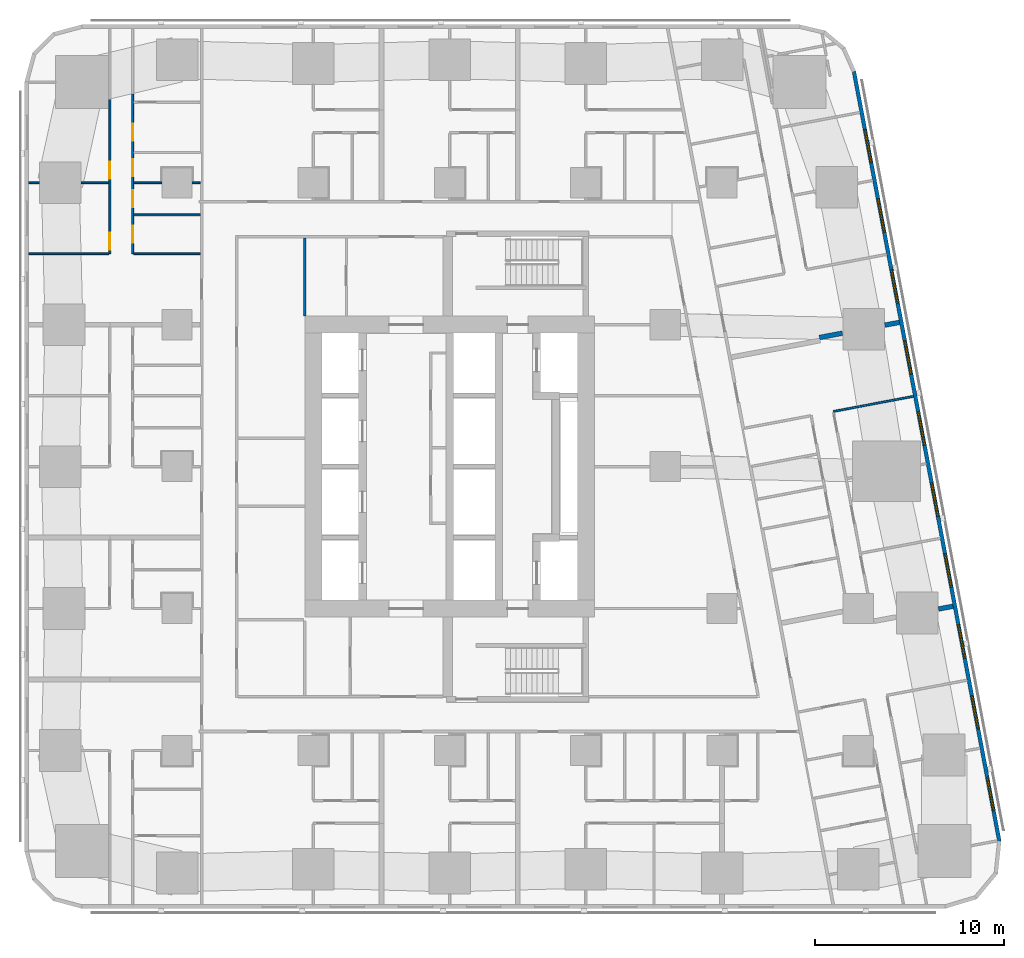
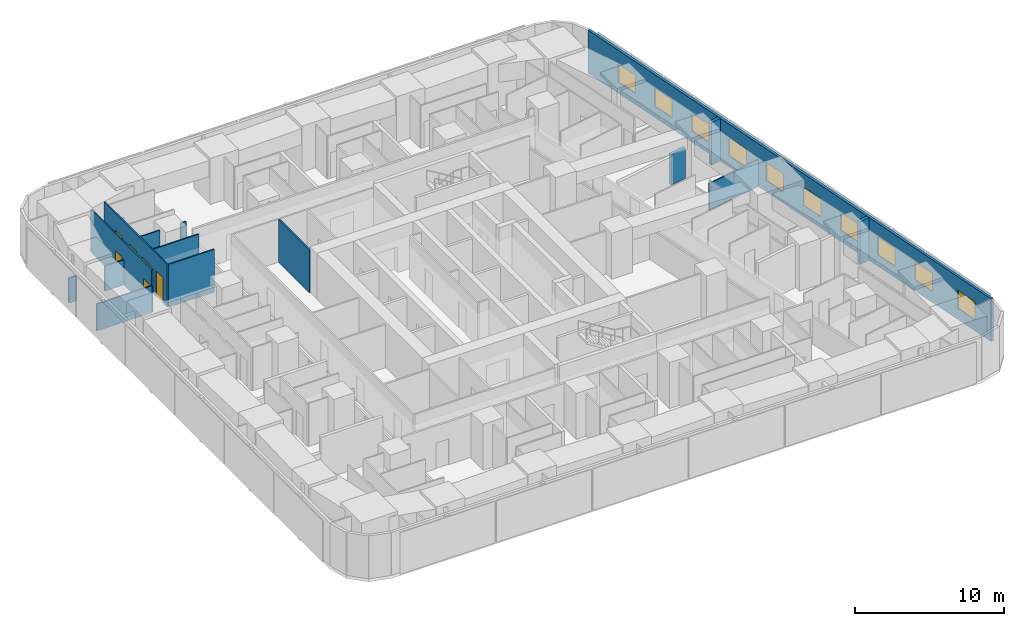
# One storey, part 9 of 16: 15 walls, 10 windows, 6 doors, 16 openings.
"""IFC4 building model written with IfcOpenShell, lengths in metres."""

import ifcopenshell
import ifcopenshell.guid

model = None  # the IFC model being written
_history = None  # IfcOwnerHistory: only IFC2X3 demands one
_inside = {}  # id of a spatial element -> (the spatial element, [elements in it])
_under = {}  # id of a project, library or spatial element -> (it, [spatial elements below it])
_declared = {}  # id of a project -> (the project, [libraries it declares])
_typed = {}  # id of a type object -> (the type object, [elements of that type])
_made_of = {}  # id of a material, layer set ... -> (it, [elements and type objects made of it])


def new_model(schema):
    """Start an empty IFC model of exactly this schema.

    Asked for "IFC4X3", IfcOpenShell would pick the latest addendum, in which some entities
    have other attributes; the version numbers below select the first issue.
    IFC2X3 requires an IfcOwnerHistory on every rooted entity: one is made here for all.
    """
    global model, _history
    if schema == "IFC4X3":
        model = ifcopenshell.file(schema_version=(4, 3, 0, 0))
    else:
        model = ifcopenshell.file(schema=schema)
    _inside.clear()
    _under.clear()
    _declared.clear()
    _typed.clear()
    _made_of.clear()
    _history = None
    if model.schema == "IFC2X3":
        org = make("IfcOrganization", Name="unknown")
        user = make(
            "IfcPersonAndOrganization",
            ThePerson=make("IfcPerson", FamilyName="unknown"),
            TheOrganization=org,
        )
        app = make(
            "IfcApplication",
            ApplicationDeveloper=org,
            Version="unknown",
            ApplicationFullName="unknown",
            ApplicationIdentifier="unknown",
        )
        _history = make(
            "IfcOwnerHistory",
            OwningUser=user,
            OwningApplication=app,
            ChangeAction="ADDED",
            CreationDate=0,
        )
    return model


def make(cls, **values):
    """One entity of the class cls with the attributes given. An attribute that is None is left unset."""
    return model.create_entity(
        cls, **{name: value for name, value in values.items() if value is not None}
    )


def rooted(cls, **values):
    """An entity with a GlobalId (a new one), such as an element, a storey or a relation."""
    return make(cls, GlobalId=ifcopenshell.guid.new(), OwnerHistory=_history, **values)


def si_unit(unit_type, name, prefix=None):
    """IfcSIUnit, for example si_unit("LENGTHUNIT", "METRE", prefix="MILLI")."""
    return make("IfcSIUnit", UnitType=unit_type, Prefix=prefix, Name=name)


def assignment(units):
    """IfcUnitAssignment: the units of a project."""
    return None if units is None else make("IfcUnitAssignment", Units=units)


def point(xyz):
    """IfcCartesianPoint."""
    return None if xyz is None else make("IfcCartesianPoint", Coordinates=xyz)


def direction(xyz):
    """IfcDirection."""
    return None if xyz is None else make("IfcDirection", DirectionRatios=xyz)


def frame(location, z_axis=None, x_axis=None):
    """IfcAxis2Placement3D, a coordinate frame: its origin and axes. An axis left out is left unset."""
    return make(
        "IfcAxis2Placement3D",
        Location=point(location),
        Axis=direction(z_axis),
        RefDirection=direction(x_axis),
    )


def frame_2d(location, x_axis=None):
    """IfcAxis2Placement2D, a coordinate frame in the plane: its origin and x axis."""
    return make(
        "IfcAxis2Placement2D", Location=point(location), RefDirection=direction(x_axis)
    )


def origin():
    """The frame at (0, 0, 0) with its axes left unset."""
    return frame((0.0, 0.0, 0.0))


def place(relative_to, where):
    """IfcLocalPlacement: puts the frame where relative to a parent placement (None: the world)."""
    return make(
        "IfcLocalPlacement", PlacementRelTo=relative_to, RelativePlacement=where
    )


def context(
    kind, dimensions, precision=None, world=None, true_north=None, identifier=None
):
    """IfcGeometricRepresentationContext, for example the 3D "Model" context."""
    return make(
        "IfcGeometricRepresentationContext",
        ContextIdentifier=identifier,
        ContextType=kind,
        CoordinateSpaceDimension=dimensions,
        Precision=precision,
        WorldCoordinateSystem=world,
        TrueNorth=true_north,
    )


def subcontext(parent, identifier, kind, view, scale=None):
    """IfcGeometricRepresentationSubContext, for example "Body" below "Model"."""
    return make(
        "IfcGeometricRepresentationSubContext",
        ContextIdentifier=identifier,
        ContextType=kind,
        ParentContext=parent,
        TargetScale=scale,
        TargetView=view,
    )


def project(units=None, contexts=None):
    """IfcProject with its units and contexts."""
    return rooted(
        "IfcProject",
        Name="project",
        RepresentationContexts=contexts,
        UnitsInContext=assignment(units),
    )


def spatial(cls, under=None, at=None, **own):
    """A site, building, storey or space (cls), placed at a placement, below another one or the project."""
    s = rooted(cls, ObjectPlacement=at, **own)
    if under is not None:
        _under.setdefault(under.id(), (under, []))[1].append(s)
    return s


def profile(cls, at=None, kind="AREA", **sizes):
    """A parametric profile (cls). Its sizes go by their IFC names, for example OverallWidth=200.0."""
    return make(cls, ProfileType=kind, Position=at, **sizes)


def rectangle(**sizes):
    """IfcRectangleProfileDef."""
    return profile("IfcRectangleProfileDef", **sizes)


def extrude(swept, where, along, depth):
    """IfcExtrudedAreaSolid: the profile swept, set in the frame where, extruded along a direction by depth."""
    return make(
        "IfcExtrudedAreaSolid",
        SweptArea=swept,
        Position=where,
        ExtrudedDirection=direction(along),
        Depth=depth,
    )


def shape(context_of_items, identifier, shape_type, items):
    """IfcShapeRepresentation: the items that make up one representation, for example the "Body"."""
    return make(
        "IfcShapeRepresentation",
        ContextOfItems=context_of_items,
        RepresentationIdentifier=identifier,
        RepresentationType=shape_type,
        Items=items,
    )


def material(Name=None, Category=None):
    """IfcMaterial."""
    return make("IfcMaterial", Name=Name, Category=Category)


def layer(
    of_material, thickness, ventilated=None, Name=None, Category=None, Priority=None
):
    """IfcMaterialLayer: one layer of a wall or slab, of a material (None: an air gap)."""
    return make(
        "IfcMaterialLayer",
        Material=of_material,
        LayerThickness=thickness,
        IsVentilated=ventilated,
        Name=Name,
        Category=Category,
        Priority=Priority,
    )


def layer_set(layers, Name=None):
    """IfcMaterialLayerSet."""
    return make("IfcMaterialLayerSet", MaterialLayers=layers, LayerSetName=Name)


def made_of(thing, what):
    """Note that an element or type object is made of a material, layer set ...; save() writes the relation."""
    if what is not None:
        _made_of.setdefault(what.id(), (what, []))[1].append(thing)
    return thing


def type_object(cls, material=None, **own):
    """A type object (cls), such as IfcWallType, which elements share."""
    return made_of(rooted(cls, **own), material)


def element(
    cls,
    number,
    at=None,
    inside=None,
    cuts=None,
    type_object=None,
    material=None,
    context=None,
    identifier="Body",
    shape_type=None,
    held_by="IfcProductDefinitionShape",
    body=None,
    shapes=None,
    **own,
):
    """One element of the class cls, such as IfcWall. Its Tag is "e" and its number.

    at: its placement. inside: the storey or other place that contains it. cuts: it is an
    opening in that element (IfcRelVoidsElement). A single representation is given by context,
    identifier, shape_type and body (its items); several are given by shapes. held_by: the class
    of the entity that holds the representations. save() writes the other relations.
    """
    e = rooted(cls, Tag="e%d" % number, ObjectPlacement=at, **own)
    if body is not None:
        shapes = [shape(context, identifier, shape_type, body)]
    if shapes is not None:
        e.Representation = make(held_by, Representations=shapes)
    if inside is not None:
        _inside.setdefault(inside.id(), (inside, []))[1].append(e)
    if cuts is not None:
        rooted(
            "IfcRelVoidsElement", RelatingBuildingElement=cuts, RelatedOpeningElement=e
        )
    if type_object is not None:
        _typed.setdefault(type_object.id(), (type_object, []))[1].append(e)
    return made_of(e, material)


def fill(opening, filler):
    """IfcRelFillsElement: the door or window that sits in an opening."""
    return rooted(
        "IfcRelFillsElement",
        RelatingOpeningElement=opening,
        RelatedBuildingElement=filler,
    )


def aggregate(whole, parts):
    """IfcRelAggregates: a whole, such as a stair, and the parts it consists of."""
    return rooted("IfcRelAggregates", RelatingObject=whole, RelatedObjects=parts)


def save(model, path):
    """Write the relations noted so far, then the file.

    IfcRelAggregates (storeys below a building ...), IfcRelContainedInSpatialStructure (elements
    in a storey), IfcRelDefinesByType, IfcRelAssociatesMaterial and IfcRelDeclares: one each for
    every whole, place, type object, material and project.
    """
    for whole, parts in _under.values():
        aggregate(whole, parts)
    for where, things in _inside.values():
        rooted(
            "IfcRelContainedInSpatialStructure",
            RelatedElements=things,
            RelatingStructure=where,
        )
    for kind, things in _typed.values():
        rooted("IfcRelDefinesByType", RelatedObjects=things, RelatingType=kind)
    for what, things in _made_of.values():
        rooted("IfcRelAssociatesMaterial", RelatedObjects=things, RelatingMaterial=what)
    for by, libraries in _declared.values():
        rooted("IfcRelDeclares", RelatingContext=by, RelatedDefinitions=libraries)
    model.write(path)


model = new_model("IFC4")

# Units and contexts
model_context = context("Model", 3, precision=1e-05, world=origin(), true_north=direction((0.0, 1.0)))
body_context = subcontext(model_context, "Body", "Model", "MODEL_VIEW")
ifc_project = project(units=[si_unit("LENGTHUNIT", "METRE"), si_unit("AREAUNIT", "SQUARE_METRE"), si_unit("VOLUMEUNIT", "CUBIC_METRE"), si_unit("PLANEANGLEUNIT", "RADIAN"), si_unit("MASSUNIT", "GRAM", prefix="KILO")], contexts=[model_context])

# Site, building, storey
site_placement = place(None, origin())
site = spatial("IfcSite", under=ifc_project, at=site_placement, CompositionType="ELEMENT")
building_placement = place(site_placement, origin())
building = spatial("IfcBuilding", under=site, at=building_placement, Name="Sheger Commons Tower", CompositionType="ELEMENT")
storey_placement = place(building_placement, frame((0.0, 0.0, 92.89990234375)))
storey = spatial("IfcBuildingStorey", under=building, at=storey_placement, Name="L23", CompositionType="ELEMENT", Elevation=92.89990234375)

# Walls
ifc_material_1 = material(Name="Dense concrete block masonry, plastered both sides (separating wall between flats)", Category="masonry")
ifc_layer_1 = layer(ifc_material_1, 0.25)
ifc_layer_set_1 = layer_set([ifc_layer_1], Name="DEMISING WALL 250")
wall_type_1 = type_object("IfcWallType", Name="DEMISING WALL 250", PredefinedType="SOLIDWALL", material=ifc_layer_set_1)
wall_1_placement = place(storey_placement, frame((45.3720703125, 30.12109375, 0.0), z_axis=(0.0, 0.0, 1.0), x_axis=(-0.982638023929, -0.185533053469, 0.0)))
element("IfcWall", 1, at=wall_1_placement, inside=storey, type_object=wall_type_1, Name="Demising wall L23", PredefinedType="SOLIDWALL", context=body_context, shape_type="SweptSolid", body=[
    extrude(rectangle(XDim=0.78173828125, YDim=0.25, at=frame_2d((0.390869140625, 0.0))), origin(), (0.0, 0.0, 1.0), 3.5),
])
wall_2_placement = place(storey_placement, frame((42.35595703125, 29.551025390625, 0.0), z_axis=(0.0, 0.0, 1.0), x_axis=(-0.982529084329, -0.186109103615, 0.0)))
element("IfcWall", 2, at=wall_2_placement, inside=storey, type_object=wall_type_1, Name="Demising wall L23", PredefinedType="SOLIDWALL", context=body_context, shape_type="SweptSolid", body=[
    extrude(rectangle(XDim=1.23046875, YDim=0.25, at=frame_2d((0.615234375, 0.0))), origin(), (0.0, 0.0, 1.0), 2.5),
])
wall_3_placement = place(storey_placement, frame((48.2060546875, 15.1201171875, 0.0), z_axis=(0.0, 0.0, 1.0), x_axis=(-0.982638023929, -0.185533053469, 0.0)))
element("IfcWall", 3, at=wall_3_placement, inside=storey, type_object=wall_type_1, Name="Demising wall L23", PredefinedType="SOLIDWALL", context=body_context, shape_type="SweptSolid", body=[
    extrude(rectangle(XDim=0.78173828125, YDim=0.25, at=frame_2d((0.390869140625, 0.0))), origin(), (0.0, 0.0, 1.0), 3.5),
])

# Wall, openings, windows
ifc_material_2 = material(Name="Rendered concrete block masonry, dark grey", Category="masonry")
ifc_layer_2 = layer(ifc_material_2, 0.199951171875)
ifc_layer_set_2 = layer_set([ifc_layer_2], Name="FACADE WALL 200")
wall_type_2 = type_object("IfcWallType", Name="FACADE WALL 200", PredefinedType="SOLIDWALL", material=ifc_layer_set_2)
wall_4_placement = place(storey_placement, frame((50.653076171875, 2.702880859375, 0.0), z_axis=(0.0, 0.0, 1.0), x_axis=(-0.185612026696, 0.982623109613, 0.0)))
wall_4 = element("IfcWall", 4, at=wall_4_placement, inside=storey, type_object=wall_type_2, Name="Facade wall L23", PredefinedType="SOLIDWALL", context=body_context, shape_type="SweptSolid", body=[
    extrude(rectangle(XDim=41.393310546875, YDim=0.199951171875, at=frame_2d((20.69677734375, 0.0))), origin(), (0.0, 0.0, 1.0), 3.5),
])
opening_1_placement = place(wall_4_placement, frame((1.633056640625, 0.0, 0.89990234375)))
opening_1 = element("IfcOpeningElement", 5, at=opening_1_placement, cuts=wall_4, Name="Opening W2", PredefinedType="OPENING", context=body_context, shape_type="SweptSolid", body=[
    extrude(rectangle(XDim=1.800048828125, YDim=1.5, at=frame_2d((0.89990234375, 0.75))), frame((0.0, 0.10986328125, 0.0), z_axis=(0.0, -1.0, 0.0), x_axis=(1.0, 0.0, 0.0)), (0.0, 0.0, 1.0), 0.219970703125),
])
opening_2_placement = place(wall_4_placement, frame((6.031982421875, 0.0, 0.89990234375)))
opening_2 = element("IfcOpeningElement", 6, at=opening_2_placement, cuts=wall_4, Name="Opening W2", PredefinedType="OPENING", context=body_context, shape_type="SweptSolid", body=[
    extrude(rectangle(XDim=1.800048828125, YDim=1.5, at=frame_2d((0.89990234375, 0.75))), frame((0.0, 0.10986328125, 0.0), z_axis=(0.0, -1.0, 0.0), x_axis=(1.0, 0.0, 0.0)), (0.0, 0.0, 1.0), 0.219970703125),
])
opening_3_placement = place(wall_4_placement, frame((9.847900390625, 0.0, 0.89990234375)))
opening_3 = element("IfcOpeningElement", 7, at=opening_3_placement, cuts=wall_4, Name="Opening W2", PredefinedType="OPENING", context=body_context, shape_type="SweptSolid", body=[
    extrude(rectangle(XDim=1.800048828125, YDim=1.5, at=frame_2d((0.89990234375, 0.75))), frame((0.0, 0.10986328125, 0.0), z_axis=(0.0, -1.0, 0.0), x_axis=(1.0, 0.0, 0.0)), (0.0, 0.0, 1.0), 0.219970703125),
])
opening_4_placement = place(wall_4_placement, frame((13.6640625, 0.0, 0.89990234375)))
opening_4 = element("IfcOpeningElement", 8, at=opening_4_placement, cuts=wall_4, Name="Opening W2", PredefinedType="OPENING", context=body_context, shape_type="SweptSolid", body=[
    extrude(rectangle(XDim=1.800048828125, YDim=1.5, at=frame_2d((0.89990234375, 0.75))), frame((0.0, 0.10986328125, 0.0), z_axis=(0.0, -1.0, 0.0), x_axis=(1.0, 0.0, 0.0)), (0.0, 0.0, 1.0), 0.219970703125),
])
opening_5_placement = place(wall_4_placement, frame((17.48095703125, 0.0, 0.89990234375)))
opening_5 = element("IfcOpeningElement", 9, at=opening_5_placement, cuts=wall_4, Name="Opening W2", PredefinedType="OPENING", context=body_context, shape_type="SweptSolid", body=[
    extrude(rectangle(XDim=1.800048828125, YDim=1.5, at=frame_2d((0.89990234375, 0.75))), frame((0.0, 0.10986328125, 0.0), z_axis=(0.0, -1.0, 0.0), x_axis=(1.0, 0.0, 0.0)), (0.0, 0.0, 1.0), 0.219970703125),
])
opening_6_placement = place(wall_4_placement, frame((21.297119140625, 0.0, 0.89990234375)))
opening_6 = element("IfcOpeningElement", 10, at=opening_6_placement, cuts=wall_4, Name="Opening W2", PredefinedType="OPENING", context=body_context, shape_type="SweptSolid", body=[
    extrude(rectangle(XDim=1.800048828125, YDim=1.5, at=frame_2d((0.89990234375, 0.75))), frame((0.0, 0.10986328125, 0.0), z_axis=(0.0, -1.0, 0.0), x_axis=(1.0, 0.0, 0.0)), (0.0, 0.0, 1.0), 0.219970703125),
])
opening_7_placement = place(wall_4_placement, frame((25.113037109375, 0.0, 0.89990234375)))
opening_7 = element("IfcOpeningElement", 11, at=opening_7_placement, cuts=wall_4, Name="Opening W2", PredefinedType="OPENING", context=body_context, shape_type="SweptSolid", body=[
    extrude(rectangle(XDim=1.800048828125, YDim=1.5, at=frame_2d((0.89990234375, 0.75))), frame((0.0, 0.10986328125, 0.0), z_axis=(0.0, -1.0, 0.0), x_axis=(1.0, 0.0, 0.0)), (0.0, 0.0, 1.0), 0.219970703125),
])
opening_8_placement = place(wall_4_placement, frame((28.929931640625, 0.0, 0.89990234375)))
opening_8 = element("IfcOpeningElement", 12, at=opening_8_placement, cuts=wall_4, Name="Opening W2", PredefinedType="OPENING", context=body_context, shape_type="SweptSolid", body=[
    extrude(rectangle(XDim=1.800048828125, YDim=1.5, at=frame_2d((0.89990234375, 0.75))), frame((0.0, 0.10986328125, 0.0), z_axis=(0.0, -1.0, 0.0), x_axis=(1.0, 0.0, 0.0)), (0.0, 0.0, 1.0), 0.219970703125),
])
opening_9_placement = place(wall_4_placement, frame((32.74609375, 0.0, 0.89990234375)))
opening_9 = element("IfcOpeningElement", 13, at=opening_9_placement, cuts=wall_4, Name="Opening W2", PredefinedType="OPENING", context=body_context, shape_type="SweptSolid", body=[
    extrude(rectangle(XDim=1.800048828125, YDim=1.5, at=frame_2d((0.89990234375, 0.75))), frame((0.0, 0.10986328125, 0.0), z_axis=(0.0, -1.0, 0.0), x_axis=(1.0, 0.0, 0.0)), (0.0, 0.0, 1.0), 0.219970703125),
])
opening_10_placement = place(wall_4_placement, frame((36.48095703125, 0.0, 0.89990234375)))
opening_10 = element("IfcOpeningElement", 14, at=opening_10_placement, cuts=wall_4, Name="Opening W2", PredefinedType="OPENING", context=body_context, shape_type="SweptSolid", body=[
    extrude(rectangle(XDim=1.800048828125, YDim=1.5, at=frame_2d((0.89990234375, 0.75))), frame((0.0, 0.10986328125, 0.0), z_axis=(0.0, -1.0, 0.0), x_axis=(1.0, 0.0, 0.0)), (0.0, 0.0, 1.0), 0.219970703125),
])
ifc_material_3 = material(Name="Black aluminium frame, dark tinted double glazing", Category="aluminium")
window_type = type_object("IfcWindowType", Name="WINDOW W2 1800x1500", PartitioningType="SINGLE_PANEL", PredefinedType="WINDOW", material=ifc_material_3)
window_1_placement = place(opening_1_placement, origin())
window_1 = element("IfcWindow", 15, at=window_1_placement, inside=storey, type_object=window_type, Name="Window W2 1800X1500", OverallHeight=1.5, OverallWidth=1.800048828125, PartitioningType="SINGLE_PANEL", PredefinedType="WINDOW", context=body_context, shape_type="SweptSolid", body=[
    extrude(rectangle(XDim=1.800048828125, YDim=1.5, at=frame_2d((0.89990234375, 0.75))), frame((0.0, 0.030029296875, 0.0), z_axis=(0.0, -1.0, 0.0), x_axis=(1.0, 0.0, 0.0)), (0.0, 0.0, 1.0), 0.06005859375),
])
fill(opening_1, window_1)
window_2_placement = place(opening_2_placement, origin())
window_2 = element("IfcWindow", 16, at=window_2_placement, inside=storey, type_object=window_type, Name="Window W2 1800X1500", OverallHeight=1.5, OverallWidth=1.800048828125, PartitioningType="SINGLE_PANEL", PredefinedType="WINDOW", context=body_context, shape_type="SweptSolid", body=[
    extrude(rectangle(XDim=1.800048828125, YDim=1.5, at=frame_2d((0.89990234375, 0.75))), frame((0.0, 0.030029296875, 0.0), z_axis=(0.0, -1.0, 0.0), x_axis=(1.0, 0.0, 0.0)), (0.0, 0.0, 1.0), 0.06005859375),
])
fill(opening_2, window_2)
window_3_placement = place(opening_3_placement, origin())
window_3 = element("IfcWindow", 17, at=window_3_placement, inside=storey, type_object=window_type, Name="Window W2 1800X1500", OverallHeight=1.5, OverallWidth=1.800048828125, PartitioningType="SINGLE_PANEL", PredefinedType="WINDOW", context=body_context, shape_type="SweptSolid", body=[
    extrude(rectangle(XDim=1.800048828125, YDim=1.5, at=frame_2d((0.89990234375, 0.75))), frame((0.0, 0.030029296875, 0.0), z_axis=(0.0, -1.0, 0.0), x_axis=(1.0, 0.0, 0.0)), (0.0, 0.0, 1.0), 0.06005859375),
])
fill(opening_3, window_3)
window_4_placement = place(opening_4_placement, origin())
window_4 = element("IfcWindow", 18, at=window_4_placement, inside=storey, type_object=window_type, Name="Window W2 1800X1500", OverallHeight=1.5, OverallWidth=1.800048828125, PartitioningType="SINGLE_PANEL", PredefinedType="WINDOW", context=body_context, shape_type="SweptSolid", body=[
    extrude(rectangle(XDim=1.800048828125, YDim=1.5, at=frame_2d((0.89990234375, 0.75))), frame((0.0, 0.030029296875, 0.0), z_axis=(0.0, -1.0, 0.0), x_axis=(1.0, 0.0, 0.0)), (0.0, 0.0, 1.0), 0.06005859375),
])
fill(opening_4, window_4)
window_5_placement = place(opening_5_placement, origin())
window_5 = element("IfcWindow", 19, at=window_5_placement, inside=storey, type_object=window_type, Name="Window W2 1800X1500", OverallHeight=1.5, OverallWidth=1.800048828125, PartitioningType="SINGLE_PANEL", PredefinedType="WINDOW", context=body_context, shape_type="SweptSolid", body=[
    extrude(rectangle(XDim=1.800048828125, YDim=1.5, at=frame_2d((0.89990234375, 0.75))), frame((0.0, 0.030029296875, 0.0), z_axis=(0.0, -1.0, 0.0), x_axis=(1.0, 0.0, 0.0)), (0.0, 0.0, 1.0), 0.06005859375),
])
fill(opening_5, window_5)
window_6_placement = place(opening_6_placement, origin())
window_6 = element("IfcWindow", 20, at=window_6_placement, inside=storey, type_object=window_type, Name="Window W2 1800X1500", OverallHeight=1.5, OverallWidth=1.800048828125, PartitioningType="SINGLE_PANEL", PredefinedType="WINDOW", context=body_context, shape_type="SweptSolid", body=[
    extrude(rectangle(XDim=1.800048828125, YDim=1.5, at=frame_2d((0.89990234375, 0.75))), frame((0.0, 0.030029296875, 0.0), z_axis=(0.0, -1.0, 0.0), x_axis=(1.0, 0.0, 0.0)), (0.0, 0.0, 1.0), 0.06005859375),
])
fill(opening_6, window_6)
window_7_placement = place(opening_7_placement, origin())
window_7 = element("IfcWindow", 21, at=window_7_placement, inside=storey, type_object=window_type, Name="Window W2 1800X1500", OverallHeight=1.5, OverallWidth=1.800048828125, PartitioningType="SINGLE_PANEL", PredefinedType="WINDOW", context=body_context, shape_type="SweptSolid", body=[
    extrude(rectangle(XDim=1.800048828125, YDim=1.5, at=frame_2d((0.89990234375, 0.75))), frame((0.0, 0.030029296875, 0.0), z_axis=(0.0, -1.0, 0.0), x_axis=(1.0, 0.0, 0.0)), (0.0, 0.0, 1.0), 0.06005859375),
])
fill(opening_7, window_7)
window_8_placement = place(opening_8_placement, origin())
window_8 = element("IfcWindow", 22, at=window_8_placement, inside=storey, type_object=window_type, Name="Window W2 1800X1500", OverallHeight=1.5, OverallWidth=1.800048828125, PartitioningType="SINGLE_PANEL", PredefinedType="WINDOW", context=body_context, shape_type="SweptSolid", body=[
    extrude(rectangle(XDim=1.800048828125, YDim=1.5, at=frame_2d((0.89990234375, 0.75))), frame((0.0, 0.030029296875, 0.0), z_axis=(0.0, -1.0, 0.0), x_axis=(1.0, 0.0, 0.0)), (0.0, 0.0, 1.0), 0.06005859375),
])
fill(opening_8, window_8)
window_9_placement = place(opening_9_placement, origin())
window_9 = element("IfcWindow", 23, at=window_9_placement, inside=storey, type_object=window_type, Name="Window W2 1800X1500", OverallHeight=1.5, OverallWidth=1.800048828125, PartitioningType="SINGLE_PANEL", PredefinedType="WINDOW", context=body_context, shape_type="SweptSolid", body=[
    extrude(rectangle(XDim=1.800048828125, YDim=1.5, at=frame_2d((0.89990234375, 0.75))), frame((0.0, 0.030029296875, 0.0), z_axis=(0.0, -1.0, 0.0), x_axis=(1.0, 0.0, 0.0)), (0.0, 0.0, 1.0), 0.06005859375),
])
fill(opening_9, window_9)
window_10_placement = place(opening_10_placement, origin())
window_10 = element("IfcWindow", 24, at=window_10_placement, inside=storey, type_object=window_type, Name="Window W2 1800X1500", OverallHeight=1.5, OverallWidth=1.800048828125, PartitioningType="SINGLE_PANEL", PredefinedType="WINDOW", context=body_context, shape_type="SweptSolid", body=[
    extrude(rectangle(XDim=1.800048828125, YDim=1.5, at=frame_2d((0.89990234375, 0.75))), frame((0.0, 0.030029296875, 0.0), z_axis=(0.0, -1.0, 0.0), x_axis=(1.0, 0.0, 0.0)), (0.0, 0.0, 1.0), 0.06005859375),
])
fill(opening_10, window_10)

# Wall, openings, doors
ifc_material_4 = material(Name="Gypsum board on steel studs", Category="steel")
ifc_layer_3 = layer(ifc_material_4, 0.10009765625)
ifc_layer_set_3 = layer_set([ifc_layer_3], Name="PARTITION 100")
wall_type_3 = type_object("IfcWallType", Name="PARTITION 100", PredefinedType="PARTITIONING", material=ifc_layer_set_3)
wall_5_placement = place(storey_placement, frame((3.64990234375, 33.75, 0.0), z_axis=(0.0, 0.0, 1.0), x_axis=(0.0, 1.0, 0.0)))
wall_5 = element("IfcWall", 25, at=wall_5_placement, inside=storey, type_object=wall_type_3, Name="Partition L23", PredefinedType="PARTITIONING", context=body_context, shape_type="SweptSolid", body=[
    extrude(rectangle(XDim=8.1650390625, YDim=0.10009765625, at=frame_2d((4.08251953125, 0.0))), origin(), (0.0, 0.0, 1.0), 3.5),
])
opening_11_placement = place(wall_5_placement, frame((0.199951171875, 0.0, 0.0)))
opening_11 = element("IfcOpeningElement", 26, at=opening_11_placement, cuts=wall_5, Name="Opening D2", PredefinedType="OPENING", context=body_context, shape_type="SweptSolid", body=[
    extrude(rectangle(XDim=0.89990234375, YDim=2.10009765625, at=frame_2d((0.449951171875, 1.050048828125))), frame((0.0, 0.06005859375, 0.0), z_axis=(0.0, -1.0, 0.0), x_axis=(1.0, 0.0, 0.0)), (0.0, 0.0, 1.0), 0.1201171875),
])
opening_12_placement = place(wall_5_placement, frame((3.949951171875, 0.0, 0.0)))
opening_12 = element("IfcOpeningElement", 27, at=opening_12_placement, cuts=wall_5, Name="Opening D2", PredefinedType="OPENING", context=body_context, shape_type="SweptSolid", body=[
    extrude(rectangle(XDim=0.89990234375, YDim=2.10009765625, at=frame_2d((0.449951171875, 1.050048828125))), frame((0.0, 0.06005859375, 0.0), z_axis=(0.0, -1.0, 0.0), x_axis=(1.0, 0.0, 0.0)), (0.0, 0.0, 1.0), 0.1201171875),
])
ifc_material_5 = material(Name="Timber door set", Category="wood")
door_type = type_object("IfcDoorType", Name="INTERNAL DOOR 900x2100", OperationType="NOTDEFINED", PredefinedType="DOOR", material=ifc_material_5)
door_1_placement = place(opening_11_placement, origin())
door_1 = element("IfcDoor", 28, at=door_1_placement, inside=storey, type_object=door_type, Name="Main bedroom door", OperationType="SINGLE_SWING_LEFT", OverallHeight=2.10009765625, OverallWidth=0.89990234375, PredefinedType="DOOR", context=body_context, shape_type="SweptSolid", body=[
    extrude(rectangle(XDim=0.89990234375, YDim=2.10009765625, at=frame_2d((0.449951171875, 1.050048828125))), frame((0.0, 0.02490234375, 0.0), z_axis=(0.0, -1.0, 0.0), x_axis=(1.0, 0.0, 0.0)), (0.0, 0.0, 1.0), 0.050048828125),
])
fill(opening_11, door_1)
door_2_placement = place(opening_12_placement, origin())
door_2 = element("IfcDoor", 29, at=door_2_placement, inside=storey, type_object=door_type, Name="Bedroom 2 door", OperationType="SINGLE_SWING_LEFT", OverallHeight=2.10009765625, OverallWidth=0.89990234375, PredefinedType="DOOR", context=body_context, shape_type="SweptSolid", body=[
    extrude(rectangle(XDim=0.89990234375, YDim=2.10009765625, at=frame_2d((0.449951171875, 1.050048828125))), frame((0.0, 0.02490234375, 0.0), z_axis=(0.0, -1.0, 0.0), x_axis=(1.0, 0.0, 0.0)), (0.0, 0.0, 1.0), 0.050048828125),
])
fill(opening_12, door_2)

wall_6_placement = place(storey_placement, frame((4.85009765625, 33.75, 0.0), z_axis=(0.0, 0.0, 1.0), x_axis=(0.0, 1.0, 0.0)))
wall_6 = element("IfcWall", 30, at=wall_6_placement, inside=storey, type_object=wall_type_3, Name="Partition L23", PredefinedType="PARTITIONING", context=body_context, shape_type="SweptSolid", body=[
    extrude(rectangle(XDim=8.448974609375, YDim=0.10009765625, at=frame_2d((4.224609375, 0.0))), origin(), (0.0, 0.0, 1.0), 3.5),
])
opening_13_placement = place(wall_6_placement, frame((0.574951171875, 0.0, 0.0)))
opening_13 = element("IfcOpeningElement", 31, at=opening_13_placement, cuts=wall_6, Name="Opening D2", PredefinedType="OPENING", context=body_context, shape_type="SweptSolid", body=[
    extrude(rectangle(XDim=0.89990234375, YDim=2.10009765625, at=frame_2d((0.449951171875, 1.050048828125))), frame((0.0, 0.06005859375, 0.0), z_axis=(0.0, -1.0, 0.0), x_axis=(1.0, 0.0, 0.0)), (0.0, 0.0, 1.0), 0.1201171875),
])
opening_14_placement = place(wall_6_placement, frame((4.10009765625, 0.0, 0.0)))
opening_14 = element("IfcOpeningElement", 32, at=opening_14_placement, cuts=wall_6, Name="Opening D2", PredefinedType="OPENING", context=body_context, shape_type="SweptSolid", body=[
    extrude(rectangle(XDim=0.89990234375, YDim=2.10009765625, at=frame_2d((0.449951171875, 1.050048828125))), frame((0.0, 0.06005859375, 0.0), z_axis=(0.0, -1.0, 0.0), x_axis=(1.0, 0.0, 0.0)), (0.0, 0.0, 1.0), 0.1201171875),
])
opening_15_placement = place(wall_6_placement, frame((2.449951171875, 0.0, 0.0)))
opening_15 = element("IfcOpeningElement", 33, at=opening_15_placement, cuts=wall_6, Name="Opening D2", PredefinedType="OPENING", context=body_context, shape_type="SweptSolid", body=[
    extrude(rectangle(XDim=0.89990234375, YDim=2.10009765625, at=frame_2d((0.449951171875, 1.050048828125))), frame((0.0, 0.06005859375, 0.0), z_axis=(0.0, -1.0, 0.0), x_axis=(1.0, 0.0, 0.0)), (0.0, 0.0, 1.0), 0.1201171875),
])
opening_16_placement = place(wall_6_placement, frame((5.97509765625, 0.0, 0.0)))
opening_16 = element("IfcOpeningElement", 34, at=opening_16_placement, cuts=wall_6, Name="Opening D2", PredefinedType="OPENING", context=body_context, shape_type="SweptSolid", body=[
    extrude(rectangle(XDim=0.89990234375, YDim=2.10009765625, at=frame_2d((0.449951171875, 1.050048828125))), frame((0.0, 0.06005859375, 0.0), z_axis=(0.0, -1.0, 0.0), x_axis=(1.0, 0.0, 0.0)), (0.0, 0.0, 1.0), 0.1201171875),
])
door_3_placement = place(opening_13_placement, origin())
door_3 = element("IfcDoor", 35, at=door_3_placement, inside=storey, type_object=door_type, Name="Bathroom door", OperationType="SINGLE_SWING_RIGHT", OverallHeight=2.10009765625, OverallWidth=0.89990234375, PredefinedType="DOOR", context=body_context, shape_type="SweptSolid", body=[
    extrude(rectangle(XDim=0.89990234375, YDim=2.10009765625, at=frame_2d((0.449951171875, 1.050048828125))), frame((0.0, 0.02490234375, 0.0), z_axis=(0.0, -1.0, 0.0), x_axis=(1.0, 0.0, 0.0)), (0.0, 0.0, 1.0), 0.050048828125),
])
fill(opening_13, door_3)
door_4_placement = place(opening_14_placement, origin())
door_4 = element("IfcDoor", 36, at=door_4_placement, inside=storey, type_object=door_type, Name="Shower room door", OperationType="SINGLE_SWING_LEFT", OverallHeight=2.10009765625, OverallWidth=0.89990234375, PredefinedType="DOOR", context=body_context, shape_type="SweptSolid", body=[
    extrude(rectangle(XDim=0.89990234375, YDim=2.10009765625, at=frame_2d((0.449951171875, 1.050048828125))), frame((0.0, 0.02490234375, 0.0), z_axis=(0.0, -1.0, 0.0), x_axis=(1.0, 0.0, 0.0)), (0.0, 0.0, 1.0), 0.050048828125),
])
fill(opening_14, door_4)
door_5_placement = place(opening_15_placement, origin())
door_5 = element("IfcDoor", 37, at=door_5_placement, inside=storey, type_object=door_type, Name="Store door", OperationType="SINGLE_SWING_RIGHT", OverallHeight=2.10009765625, OverallWidth=0.89990234375, PredefinedType="DOOR", context=body_context, shape_type="SweptSolid", body=[
    extrude(rectangle(XDim=0.89990234375, YDim=2.10009765625, at=frame_2d((0.449951171875, 1.050048828125))), frame((0.0, 0.02490234375, 0.0), z_axis=(0.0, -1.0, 0.0), x_axis=(1.0, 0.0, 0.0)), (0.0, 0.0, 1.0), 0.050048828125),
])
fill(opening_15, door_5)
door_6_placement = place(opening_16_placement, origin())
door_6 = element("IfcDoor", 38, at=door_6_placement, inside=storey, type_object=door_type, Name="Store door", OperationType="SINGLE_SWING_RIGHT", OverallHeight=2.10009765625, OverallWidth=0.89990234375, PredefinedType="DOOR", context=body_context, shape_type="SweptSolid", body=[
    extrude(rectangle(XDim=0.89990234375, YDim=2.10009765625, at=frame_2d((0.449951171875, 1.050048828125))), frame((0.0, 0.02490234375, 0.0), z_axis=(0.0, -1.0, 0.0), x_axis=(1.0, 0.0, 0.0)), (0.0, 0.0, 1.0), 0.050048828125),
])
fill(opening_16, door_6)

# Walls
wall_7_placement = place(storey_placement, frame((-0.64990234375, 33.75, 0.0), z_axis=(0.0, 0.0, 1.0), x_axis=(1.0, 0.0, 0.0)))
element("IfcWall", 39, at=wall_7_placement, inside=storey, type_object=wall_type_3, Name="Partition L23", PredefinedType="PARTITIONING", context=body_context, shape_type="SweptSolid", body=[
    extrude(rectangle(XDim=4.25, YDim=0.10009765625, at=frame_2d((2.125, 0.0))), origin(), (0.0, 0.0, 1.0), 2.2001953125),
])
wall_8_placement = place(storey_placement, frame((-0.64990234375, 37.5, 0.0), z_axis=(0.0, 0.0, 1.0), x_axis=(1.0, 0.0, 0.0)))
element("IfcWall", 40, at=wall_8_placement, inside=storey, type_object=wall_type_3, Name="Partition L23", PredefinedType="PARTITIONING", context=body_context, shape_type="SweptSolid", body=[
    extrude(rectangle(XDim=0.573974609375, YDim=0.10009765625, at=frame_2d((0.287109375, 0.0))), origin(), (0.0, 0.0, 1.0), 2.050048828125),
])
wall_9_placement = place(storey_placement, frame((2.1259765625, 37.5, 0.0), z_axis=(0.0, 0.0, 1.0), x_axis=(1.0, 0.0, 0.0)))
element("IfcWall", 41, at=wall_9_placement, inside=storey, type_object=wall_type_3, Name="Partition L23", PredefinedType="PARTITIONING", context=body_context, shape_type="SweptSolid", body=[
    extrude(rectangle(XDim=1.47412109375, YDim=0.10009765625, at=frame_2d((0.737060546875, 0.0))), origin(), (0.0, 0.0, 1.0), 2.050048828125),
])
wall_10_placement = place(storey_placement, frame((4.89990234375, 33.75, 0.0), z_axis=(0.0, 0.0, 1.0), x_axis=(1.0, 0.0, 0.0)))
element("IfcWall", 42, at=wall_10_placement, inside=storey, type_object=wall_type_3, Name="Partition L23", PredefinedType="PARTITIONING", context=body_context, shape_type="SweptSolid", body=[
    extrude(rectangle(XDim=3.525146484375, YDim=0.10009765625, at=frame_2d((1.7626953125, 0.0))), origin(), (0.0, 0.0, 1.0), 3.5),
])
wall_11_placement = place(storey_placement, frame((4.89990234375, 37.5, 0.0), z_axis=(0.0, 0.0, 1.0), x_axis=(1.0, 0.0, 0.0)))
element("IfcWall", 43, at=wall_11_placement, inside=storey, type_object=wall_type_3, Name="Partition L23", PredefinedType="PARTITIONING", context=body_context, shape_type="SweptSolid", body=[
    extrude(rectangle(XDim=1.4990234375, YDim=0.10009765625, at=frame_2d((0.74951171875, 0.0))), origin(), (0.0, 0.0, 1.0), 3.5),
])
wall_12_placement = place(storey_placement, frame((8.0009765625, 37.5, 0.0), z_axis=(0.0, 0.0, 1.0), x_axis=(1.0, 0.0, 0.0)))
element("IfcWall", 44, at=wall_12_placement, inside=storey, type_object=wall_type_3, Name="Partition L23", PredefinedType="PARTITIONING", context=body_context, shape_type="SweptSolid", body=[
    extrude(rectangle(XDim=0.424072265625, YDim=0.10009765625, at=frame_2d((0.2119140625, 0.0))), origin(), (0.0, 0.0, 1.0), 3.5),
])
wall_13_placement = place(storey_placement, frame((4.89990234375, 35.800048828125, 0.0), z_axis=(0.0, 0.0, 1.0), x_axis=(1.0, 0.0, 0.0)))
element("IfcWall", 45, at=wall_13_placement, inside=storey, type_object=wall_type_3, Name="Partition L23", PredefinedType="PARTITIONING", context=body_context, shape_type="SweptSolid", body=[
    extrude(rectangle(XDim=3.525146484375, YDim=0.10009765625, at=frame_2d((1.7626953125, 0.0))), origin(), (0.0, 0.0, 1.0), 3.5),
])
wall_14_placement = place(storey_placement, frame((46.110107421875, 26.212890625, 0.0), z_axis=(0.0, 0.0, 1.0), x_axis=(-0.982633535512, -0.185556823879, 0.0)))
element("IfcWall", 46, at=wall_14_placement, inside=storey, type_object=wall_type_3, Name="Partition L23", PredefinedType="PARTITIONING", context=body_context, shape_type="SweptSolid", body=[
    extrude(rectangle(XDim=4.2998046875, YDim=0.10009765625, at=frame_2d((2.14990234375, 0.0))), origin(), (0.0, 0.0, 1.0), 2.2001953125),
])
ifc_material_6 = material(Name="Gypsum board on steel studs, two layers each side, fire rated", Category="steel")
ifc_layer_4 = layer(ifc_material_6, 0.125)
ifc_layer_set_4 = layer_set([ifc_layer_4], Name="SERVICE WALL 125")
wall_type_4 = type_object("IfcWallType", Name="SERVICE WALL 125", PredefinedType="PARTITIONING", material=ifc_layer_set_4)
wall_15_placement = place(storey_placement, frame((13.949951171875, 30.449951171875, 0.0), z_axis=(0.0, 0.0, 1.0), x_axis=(0.0, 1.0, 0.0)))
element("IfcWall", 47, at=wall_15_placement, inside=storey, type_object=wall_type_4, Name="Service room wall L23", PredefinedType="PARTITIONING", context=body_context, shape_type="SweptSolid", body=[
    extrude(rectangle(XDim=4.136962890625, YDim=0.125, at=frame_2d((2.068359375, 0.0))), origin(), (0.0, 0.0, 1.0), 3.5),
])

save(model, "model.ifc")
